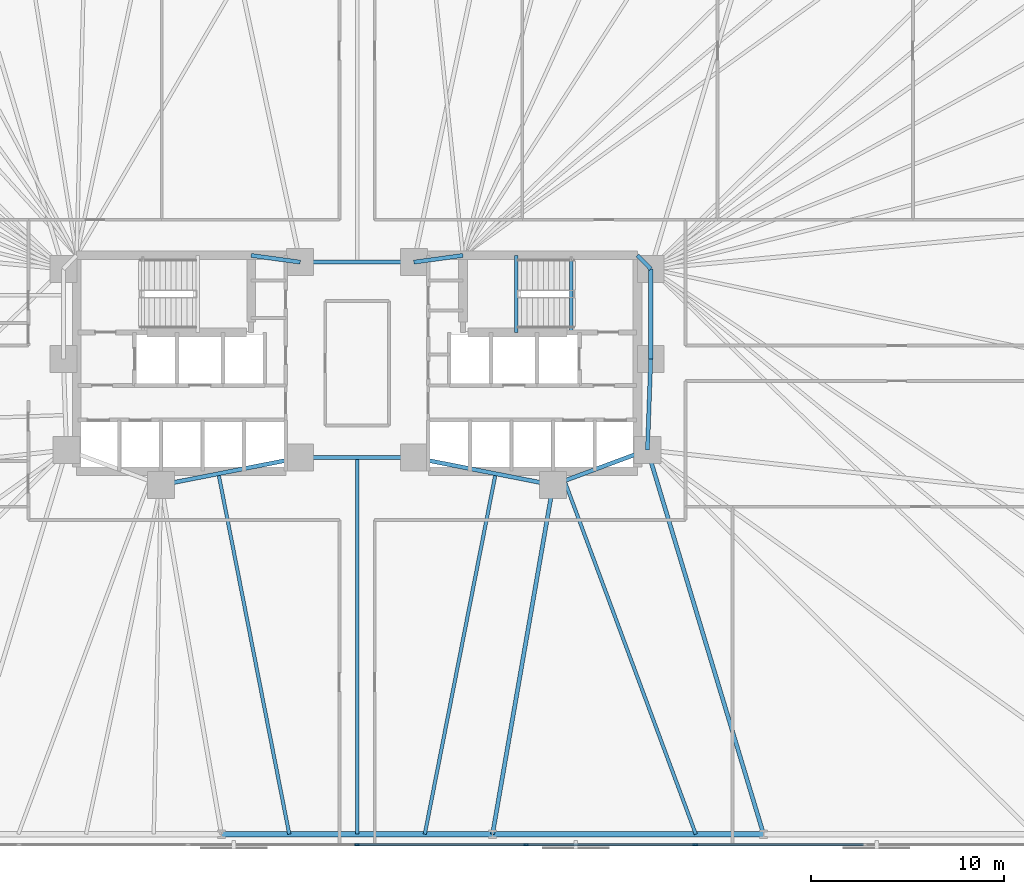
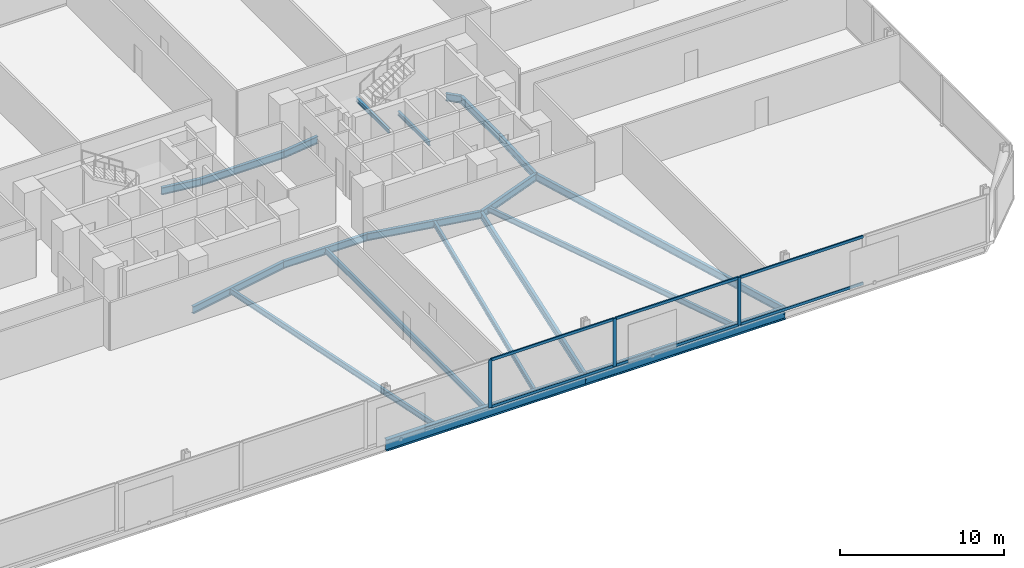
# One storey, part 7 of 16: 20 beams, 9 members, 1 element without a shape of its own.
"""IFC4 building model written with IfcOpenShell, lengths in metres."""

from ifc_helpers import new_model, si_unit, direction, frame, origin, origin_2d, place, context, subcontext, project, spatial, rectangle, i_section, extrude, material, material_profile, profile_set, type_object, element, aggregate, save


model = new_model("IFC4")

# Units and contexts
model_context = context("Model", 3, precision=1e-05, world=origin(), true_north=direction((0.0, 1.0)))
body_context = subcontext(model_context, "Body", "Model", "MODEL_VIEW")
ifc_project = project(units=[si_unit("LENGTHUNIT", "METRE"), si_unit("AREAUNIT", "SQUARE_METRE"), si_unit("VOLUMEUNIT", "CUBIC_METRE"), si_unit("PLANEANGLEUNIT", "RADIAN"), si_unit("MASSUNIT", "GRAM", prefix="KILO")], contexts=[model_context])

# Site, building, storey
site_placement = place(None, origin())
site = spatial("IfcSite", under=ifc_project, at=site_placement, CompositionType="ELEMENT")
building_placement = place(site_placement, origin())
building = spatial("IfcBuilding", under=site, at=building_placement, Name="Menara Jurai Vektor", CompositionType="ELEMENT")
storey_placement = place(building_placement, frame((0.0, 0.0, 33.199951171875)))
storey = spatial("IfcBuildingStorey", under=building, at=storey_placement, Name="L07", CompositionType="ELEMENT", Elevation=33.199951171875)

# Curtain wall, members
ifc_material_1 = material(Name="Anodised Pale Aluminium & Low-E Double Glazing", Category="aluminium")
curtain_wall_type = type_object("IfcCurtainWallType", Name="CW-BLK1", PredefinedType="NOTDEFINED", material=ifc_material_1)
curtain_wall_placement = place(storey_placement, origin())
curtain_wall = element("IfcCurtainWall", 1, at=curtain_wall_placement, inside=storey, type_object=curtain_wall_type, Name="Unitised Curtain Wall L07 F01", PredefinedType="NOTDEFINED")
ifc_material_2 = material(Name="Anodised Pale Aluminium Mullion", Category="aluminium")
ifc_material_profile_1 = material_profile(ifc_material_2, rectangle(XDim=0.094970703125, YDim=0.239990234375, at=origin_2d()), Name="ALU MUL 95x240")
ifc_profile_set_1 = profile_set([ifc_material_profile_1], Name="Anodised Pale Aluminium Mullion")
member_type_1 = type_object("IfcMemberType", Name="CW-BLK1-MUL", PredefinedType="MULLION", material=ifc_profile_set_1)
member_1_placement = place(storey_placement, frame((0.0, -25.0, 0.0), z_axis=(0.0, 0.0, 1.0), x_axis=(0.0, 1.0, 0.0)))
member_1 = element("IfcMember", 2, at=member_1_placement, type_object=member_type_1, Name="CW-01 mullion 5", PredefinedType="MULLION", context=body_context, shape_type="SweptSolid", body=[
    extrude(rectangle(XDim=0.094970703125, YDim=0.239990234375, at=origin_2d()), origin(), (0.0, 0.0, 1.0), 3.574951171875),
])
member_2_placement = place(storey_placement, frame((8.780029296875, -25.0, 0.0), z_axis=(0.0, 0.0, 1.0), x_axis=(0.0, 1.0, 0.0)))
member_2 = element("IfcMember", 3, at=member_2_placement, type_object=member_type_1, Name="CW-01 mullion 6", PredefinedType="MULLION", context=body_context, shape_type="SweptSolid", body=[
    extrude(rectangle(XDim=0.094970703125, YDim=0.239990234375, at=origin_2d()), origin(), (0.0, 0.0, 1.0), 3.574951171875),
])
member_3_placement = place(storey_placement, frame((17.56005859375, -25.0, 0.0), z_axis=(0.0, 0.0, 1.0), x_axis=(0.0, 1.0, 0.0)))
member_3 = element("IfcMember", 4, at=member_3_placement, type_object=member_type_1, Name="CW-01 mullion 7", PredefinedType="MULLION", context=body_context, shape_type="SweptSolid", body=[
    extrude(rectangle(XDim=0.094970703125, YDim=0.239990234375, at=origin_2d()), origin(), (0.0, 0.0, 1.0), 3.574951171875),
])
ifc_material_3 = material(Name="Anodised Pale Aluminium Transom", Category="aluminium")
ifc_material_profile_2 = material_profile(ifc_material_3, rectangle(XDim=0.094970703125, YDim=0.199951171875, at=origin_2d()), Name="ALU TRN 95x200")
ifc_profile_set_2 = profile_set([ifc_material_profile_2], Name="Anodised Pale Aluminium Transom")
member_type_2 = type_object("IfcMemberType", Name="CW-BLK1-TRN", PredefinedType="USERDEFINED", material=ifc_profile_set_2)
member_4_placement = place(storey_placement, frame((0.047607421875, -25.0, 0.047607421875), z_axis=(1.0, 0.0, 0.0), x_axis=(0.0, 1.0, 0.0)))
member_4 = element("IfcMember", 5, at=member_4_placement, type_object=member_type_2, Name="CW-01 transom 5.1", ObjectType="TRANSOM", PredefinedType="USERDEFINED", context=body_context, shape_type="SweptSolid", body=[
    extrude(rectangle(XDim=0.094970703125, YDim=0.199951171875, at=origin_2d()), origin(), (0.0, 0.0, 1.0), 8.684814453125),
])
member_5_placement = place(storey_placement, frame((0.047607421875, -25.0, 3.527587890625), z_axis=(1.0, 0.0, 0.0), x_axis=(0.0, 1.0, 0.0)))
member_5 = element("IfcMember", 6, at=member_5_placement, type_object=member_type_2, Name="CW-01 transom 5.2", ObjectType="TRANSOM", PredefinedType="USERDEFINED", context=body_context, shape_type="SweptSolid", body=[
    extrude(rectangle(XDim=0.094970703125, YDim=0.199951171875, at=origin_2d()), origin(), (0.0, 0.0, 1.0), 8.684814453125),
])
member_6_placement = place(storey_placement, frame((8.827392578125, -25.0, 0.047607421875), z_axis=(1.0, 0.0, 0.0), x_axis=(0.0, 1.0, 0.0)))
member_6 = element("IfcMember", 7, at=member_6_placement, type_object=member_type_2, Name="CW-01 transom 6.1", ObjectType="TRANSOM", PredefinedType="USERDEFINED", context=body_context, shape_type="SweptSolid", body=[
    extrude(rectangle(XDim=0.094970703125, YDim=0.199951171875, at=origin_2d()), origin(), (0.0, 0.0, 1.0), 8.68505859375),
])
member_7_placement = place(storey_placement, frame((8.827392578125, -25.0, 3.527587890625), z_axis=(1.0, 0.0, 0.0), x_axis=(0.0, 1.0, 0.0)))
member_7 = element("IfcMember", 8, at=member_7_placement, type_object=member_type_2, Name="CW-01 transom 6.2", ObjectType="TRANSOM", PredefinedType="USERDEFINED", context=body_context, shape_type="SweptSolid", body=[
    extrude(rectangle(XDim=0.094970703125, YDim=0.199951171875, at=origin_2d()), origin(), (0.0, 0.0, 1.0), 8.68505859375),
])
member_8_placement = place(storey_placement, frame((17.607421875, -25.0, 0.047607421875), z_axis=(1.0, 0.0, 0.0), x_axis=(0.0, 1.0, 0.0)))
member_8 = element("IfcMember", 9, at=member_8_placement, type_object=member_type_2, Name="CW-01 transom 7.1", ObjectType="TRANSOM", PredefinedType="USERDEFINED", context=body_context, shape_type="SweptSolid", body=[
    extrude(rectangle(XDim=0.094970703125, YDim=0.199951171875, at=origin_2d()), origin(), (0.0, 0.0, 1.0), 8.68505859375),
])
member_9_placement = place(storey_placement, frame((17.607421875, -25.0, 3.527587890625), z_axis=(1.0, 0.0, 0.0), x_axis=(0.0, 1.0, 0.0)))
member_9 = element("IfcMember", 10, at=member_9_placement, type_object=member_type_2, Name="CW-01 transom 7.2", ObjectType="TRANSOM", PredefinedType="USERDEFINED", context=body_context, shape_type="SweptSolid", body=[
    extrude(rectangle(XDim=0.094970703125, YDim=0.199951171875, at=origin_2d()), origin(), (0.0, 0.0, 1.0), 8.68505859375),
])
aggregate(curtain_wall, [member_1, member_2, member_3, member_4, member_5, member_6, member_7, member_8, member_9])

# Beams
ifc_material_4 = material(Name="Steel S355", Category="steel")
ifc_material_profile_3 = material_profile(ifc_material_4, i_section(OverallWidth=0.2109375, OverallDepth=0.5390625, WebThickness=0.011962890625, FlangeThickness=0.01904296875, FilletRadius=0.012939453125, at=origin_2d()), Name="UKB 533x210x109")
ifc_profile_set_3 = profile_set([ifc_material_profile_3], Name="Steel S355")
beam_type_1 = type_object("IfcBeamType", Name="STR-BM-533", PredefinedType="BEAM", material=ifc_profile_set_3)
beam_1_placement = place(storey_placement, frame((-5.5, 5.60009765625, -0.494384765625), z_axis=(0.990706818608, -0.136014703483, 0.0), x_axis=(0.136014703483, 0.990706818608, 0.0)))
element("IfcBeam", 11, at=beam_1_placement, inside=storey, type_object=beam_type_1, Name="Core Ring Header Girder L07-CHW-N2", PredefinedType="BEAM", context=body_context, shape_type="SweptSolid", body=[
    extrude(i_section(OverallWidth=0.2109375, OverallDepth=0.5390625, WebThickness=0.011962890625, FlangeThickness=0.01904296875, FilletRadius=0.012939453125, at=origin_2d()), origin(), (0.0, 0.0, 1.0), 2.573974609375),
])
beam_2_placement = place(storey_placement, frame((-10.179931640625, -6.320068359375, -0.494384765625), z_axis=(0.981249044334, 0.192744164614, 0.0), x_axis=(-0.192744164614, 0.981249044334, 0.0)))
element("IfcBeam", 12, at=beam_2_placement, inside=storey, type_object=beam_type_1, Name="Core Ring Header Girder L07-CHW-S2", PredefinedType="BEAM", context=body_context, shape_type="SweptSolid", body=[
    extrude(i_section(OverallWidth=0.2109375, OverallDepth=0.5390625, WebThickness=0.011962890625, FlangeThickness=0.01904296875, FilletRadius=0.012939453125, at=origin_2d()), origin(), (0.0, 0.0, 1.0), 7.3681640625),
])
beam_3_placement = place(storey_placement, frame((2.949951171875, 5.25, -0.494384765625), z_axis=(0.990706818608, 0.136014703483, 0.0), x_axis=(-0.136014703483, 0.990706818608, 0.0)))
element("IfcBeam", 13, at=beam_3_placement, inside=storey, type_object=beam_type_1, Name="Core Ring Header Girder L07-CHE-N1", PredefinedType="BEAM", context=body_context, shape_type="SweptSolid", body=[
    extrude(i_section(OverallWidth=0.2109375, OverallDepth=0.5390625, WebThickness=0.011962890625, FlangeThickness=0.01904296875, FilletRadius=0.012939453125, at=origin_2d()), origin(), (0.0, 0.0, 1.0), 2.573974609375),
])
beam_4_placement = place(storey_placement, frame((14.56005859375, 5.60009765625, -0.494384765625), z_axis=(0.701871936926, -0.712303154672, 0.0), x_axis=(0.712303154672, 0.701871936926, 0.0)))
element("IfcBeam", 14, at=beam_4_placement, inside=storey, type_object=beam_type_1, Name="Core Ring Header Girder L07-CHE-N2", PredefinedType="BEAM", context=body_context, shape_type="SweptSolid", body=[
    extrude(i_section(OverallWidth=0.2109375, OverallDepth=0.5390625, WebThickness=0.011962890625, FlangeThickness=0.01904296875, FilletRadius=0.012939453125, at=origin_2d()), origin(), (0.0, 0.0, 1.0), 0.98291015625),
])
beam_5_placement = place(storey_placement, frame((15.25, 0.219970703125, -0.494384765625), z_axis=(0.0, 1.0, 0.0), x_axis=(-1.0, 0.0, 0.0)))
element("IfcBeam", 15, at=beam_5_placement, inside=storey, type_object=beam_type_1, Name="Core Ring Header Girder L07-CHE-E1", PredefinedType="BEAM", context=body_context, shape_type="SweptSolid", body=[
    extrude(i_section(OverallWidth=0.2109375, OverallDepth=0.5390625, WebThickness=0.011962890625, FlangeThickness=0.01904296875, FilletRadius=0.012939453125, at=origin_2d()), origin(), (0.0, 0.0, 1.0), 4.679931640625),
])
beam_6_placement = place(storey_placement, frame((15.080078125, -4.5, -0.494384765625), z_axis=(0.035977314146, 0.999352606874, 0.0), x_axis=(-0.999352606874, 0.035977314146, 0.0)))
element("IfcBeam", 16, at=beam_6_placement, inside=storey, type_object=beam_type_1, Name="Core Ring Header Girder L07-CHE-E2", PredefinedType="BEAM", context=body_context, shape_type="SweptSolid", body=[
    extrude(i_section(OverallWidth=0.2109375, OverallDepth=0.5390625, WebThickness=0.011962890625, FlangeThickness=0.01904296875, FilletRadius=0.012939453125, at=origin_2d()), origin(), (0.0, 0.0, 1.0), 4.72314453125),
])
beam_7_placement = place(storey_placement, frame((10.179931640625, -6.320068359375, -0.494384765625), z_axis=(0.937424400887, 0.348188874925, 0.0), x_axis=(-0.348188874925, 0.937424400887, 0.0)))
element("IfcBeam", 17, at=beam_7_placement, inside=storey, type_object=beam_type_1, Name="Core Ring Header Girder L07-CHE-S1", PredefinedType="BEAM", context=body_context, shape_type="SweptSolid", body=[
    extrude(i_section(OverallWidth=0.2109375, OverallDepth=0.5390625, WebThickness=0.011962890625, FlangeThickness=0.01904296875, FilletRadius=0.012939453125, at=origin_2d()), origin(), (0.0, 0.0, 1.0), 5.227294921875),
])
beam_8_placement = place(storey_placement, frame((2.949951171875, -4.89990234375, -0.494384765625), z_axis=(0.981249044334, -0.192744164614, 0.0), x_axis=(0.192744164614, 0.981249044334, 0.0)))
element("IfcBeam", 18, at=beam_8_placement, inside=storey, type_object=beam_type_1, Name="Core Ring Header Girder L07-CHE-S2", PredefinedType="BEAM", context=body_context, shape_type="SweptSolid", body=[
    extrude(i_section(OverallWidth=0.2109375, OverallDepth=0.5390625, WebThickness=0.011962890625, FlangeThickness=0.01904296875, FilletRadius=0.012939453125, at=origin_2d()), origin(), (0.0, 0.0, 1.0), 7.3681640625),
])
for number, where, z_axis, x_axis, name in (
    (19, (-2.949951171875, -4.89990234375, -0.494384765625), (1.0, 0.0, 0.0), (0.0, 1.0, 0.0), "Core Ring Header Girder L07-CC-1"),
    (20, (-2.949951171875, 5.25, -0.494384765625), (1.0, 0.0, 0.0), (0.0, 1.0, 0.0), "Core Ring Header Girder L07-CC-2"),
):
    element("IfcBeam", number, at=place(storey_placement, frame(where, z_axis=z_axis, x_axis=x_axis)), inside=storey, type_object=beam_type_1, Name=name, PredefinedType="BEAM", context=body_context, shape_type="SweptSolid", body=[
        extrude(i_section(OverallWidth=0.2109375, OverallDepth=0.5390625, WebThickness=0.011962890625, FlangeThickness=0.01904296875, FilletRadius=0.012939453125, at=origin_2d()), origin(), (0.0, 0.0, 1.0), 5.89990234375),
    ])
beam_9_placement = place(storey_placement, frame((7.03564453125, -24.449951171875, -0.494384765625), z_axis=(0.170880325642, 0.985291791455, 0.0), x_axis=(-0.985291791455, 0.170880325642, 0.0)))
element("IfcBeam", 21, at=beam_9_placement, inside=storey, type_object=beam_type_1, Name="Radial Floor Girder L07-S4", PredefinedType="BEAM", context=body_context, shape_type="SweptSolid", body=[
    extrude(i_section(OverallWidth=0.2109375, OverallDepth=0.5390625, WebThickness=0.011962890625, FlangeThickness=0.01904296875, FilletRadius=0.012939453125, at=origin_2d()), origin(), (0.0, 0.0, 1.0), 18.400634765625),
])
beam_10_placement = place(storey_placement, frame((21.106689453125, -24.449951171875, -0.494384765625), z_axis=(-0.289179812203, 0.957274796604, 0.0), x_axis=(-0.957274796604, -0.289179812203, 0.0)))
element("IfcBeam", 22, at=beam_10_placement, inside=storey, type_object=beam_type_1, Name="Radial Floor Girder L07-S5", PredefinedType="BEAM", context=body_context, shape_type="SweptSolid", body=[
    extrude(i_section(OverallWidth=0.2109375, OverallDepth=0.5390625, WebThickness=0.011962890625, FlangeThickness=0.01904296875, FilletRadius=0.012939453125, at=origin_2d()), origin(), (0.0, 0.0, 1.0), 20.84033203125),
])
ifc_material_profile_4 = material_profile(ifc_material_4, i_section(OverallWidth=0.178955078125, OverallDepth=0.408935546875, WebThickness=0.009033203125, FlangeThickness=0.013916015625, FilletRadius=0.010009765625, at=origin_2d()), Name="UKB 406x178x67")
ifc_profile_set_4 = profile_set([ifc_material_profile_4], Name="Steel S355")
beam_type_2 = type_object("IfcBeamType", Name="STR-JS-406", PredefinedType="JOIST", material=ifc_profile_set_4)
beam_11_placement = place(storey_placement, frame((-3.517822265625, -24.449951171875, -0.429443359375), z_axis=(-0.192723076671, 0.981253186348, 0.0), x_axis=(-0.981253186348, -0.192723076671, 0.0)))
element("IfcBeam", 23, at=beam_11_placement, inside=storey, type_object=beam_type_2, Name="Radial Secondary Floor Joist L07-JS04", PredefinedType="JOIST", context=body_context, shape_type="SweptSolid", body=[
    extrude(i_section(OverallWidth=0.178955078125, OverallDepth=0.408935546875, WebThickness=0.009033203125, FlangeThickness=0.013916015625, FilletRadius=0.010009765625, at=origin_2d()), origin(), (0.0, 0.0, 1.0), 19.07421875),
])
beam_12_placement = place(storey_placement, frame((0.0, -24.449951171875, -0.429443359375), z_axis=(0.0, 1.0, 0.0), x_axis=(-1.0, 0.0, 0.0)))
element("IfcBeam", 24, at=beam_12_placement, inside=storey, type_object=beam_type_2, Name="Radial Secondary Floor Joist L07-JS05", PredefinedType="JOIST", context=body_context, shape_type="SweptSolid", body=[
    extrude(i_section(OverallWidth=0.178955078125, OverallDepth=0.408935546875, WebThickness=0.009033203125, FlangeThickness=0.013916015625, FilletRadius=0.010009765625, at=origin_2d()), origin(), (0.0, 0.0, 1.0), 19.550048828125),
])
beam_13_placement = place(storey_placement, frame((3.517822265625, -24.449951171875, -0.429443359375), z_axis=(0.192723076671, 0.981253186348, 0.0), x_axis=(-0.981253186348, 0.192723076671, 0.0)))
element("IfcBeam", 25, at=beam_13_placement, inside=storey, type_object=beam_type_2, Name="Radial Secondary Floor Joist L07-JS06", PredefinedType="JOIST", context=body_context, shape_type="SweptSolid", body=[
    extrude(i_section(OverallWidth=0.178955078125, OverallDepth=0.408935546875, WebThickness=0.009033203125, FlangeThickness=0.013916015625, FilletRadius=0.010009765625, at=origin_2d()), origin(), (0.0, 0.0, 1.0), 19.07421875),
])
beam_14_placement = place(storey_placement, frame((17.5888671875, -24.449951171875, -0.429443359375), z_axis=(-0.348179014223, 0.937428063403, 0.0), x_axis=(-0.937428063403, -0.348179014223, 0.0)))
element("IfcBeam", 26, at=beam_14_placement, inside=storey, type_object=beam_type_2, Name="Radial Secondary Floor Joist L07-JS07", PredefinedType="JOIST", context=body_context, shape_type="SweptSolid", body=[
    extrude(i_section(OverallWidth=0.178955078125, OverallDepth=0.408935546875, WebThickness=0.009033203125, FlangeThickness=0.013916015625, FilletRadius=0.010009765625, at=origin_2d()), origin(), (0.0, 0.0, 1.0), 19.5751953125),
])
ifc_material_profile_5 = material_profile(ifc_material_4, i_section(OverallWidth=0.1650390625, OverallDepth=0.302978515625, WebThickness=0.006103515625, FlangeThickness=0.010009765625, FilletRadius=0.009033203125, at=origin_2d()), Name="UKB 305x165x40")
ifc_profile_set_5 = profile_set([ifc_material_profile_5], Name="Steel S355")
beam_type_3 = type_object("IfcBeamType", Name="STR-LN-305", PredefinedType="LINTEL", material=ifc_profile_set_5)
beam_15_placement = place(storey_placement, frame((11.1201171875, 1.60009765625, -0.37646484375), z_axis=(0.0, 1.0, 0.0), x_axis=(-1.0, 0.0, 0.0)))
element("IfcBeam", 27, at=beam_15_placement, inside=storey, type_object=beam_type_3, Name="Stair Well Floor Trimmer ST2 L07", PredefinedType="LINTEL", context=body_context, shape_type="SweptSolid", body=[
    extrude(i_section(OverallWidth=0.1650390625, OverallDepth=0.302978515625, WebThickness=0.006103515625, FlangeThickness=0.010009765625, FilletRadius=0.009033203125, at=origin_2d()), origin(), (0.0, 0.0, 1.0), 3.81982421875),
])
beam_16_placement = place(storey_placement, frame((8.27001953125, 1.60009765625, 1.548583984375), z_axis=(0.0, 1.0, 0.0), x_axis=(-1.0, 0.0, 0.0)))
element("IfcBeam", 28, at=beam_16_placement, inside=storey, type_object=beam_type_3, Name="Stair Half-Landing Nosing Trimmer ST2-1 L07", PredefinedType="LINTEL", context=body_context, shape_type="SweptSolid", body=[
    extrude(i_section(OverallWidth=0.1650390625, OverallDepth=0.302978515625, WebThickness=0.006103515625, FlangeThickness=0.010009765625, FilletRadius=0.009033203125, at=origin_2d()), origin(), (0.0, 0.0, 1.0), 4.0),
])
ifc_material_5 = material(Name="Steel S460", Category="steel")
ifc_material_profile_6 = material_profile(ifc_material_5, i_section(OverallWidth=0.2939453125, OverallDepth=0.85107421875, WebThickness=0.01611328125, FlangeThickness=0.027099609375, FilletRadius=0.01806640625, at=origin_2d()), Name="UKB 838x292x226")
ifc_profile_set_6 = profile_set([ifc_material_profile_6], Name="Steel S460")
beam_type_4 = type_object("IfcBeamType", Name="STR-SP-838", PredefinedType="SPANDREL", material=ifc_profile_set_6)
beam_17_placement = place(storey_placement, frame((-7.03564453125, -24.449951171875, -0.650390625), z_axis=(1.0, 0.0, 0.0), x_axis=(0.0, 1.0, 0.0)))
element("IfcBeam", 29, at=beam_17_placement, inside=storey, type_object=beam_type_4, Name="Exoskeleton Spandrel Beam L07-03", PredefinedType="SPANDREL", context=body_context, shape_type="SweptSolid", body=[
    extrude(i_section(OverallWidth=0.2939453125, OverallDepth=0.85107421875, WebThickness=0.01611328125, FlangeThickness=0.027099609375, FilletRadius=0.01806640625, at=origin_2d()), origin(), (0.0, 0.0, 1.0), 14.0712890625),
])
beam_18_placement = place(storey_placement, frame((7.03564453125, -24.449951171875, -0.650390625), z_axis=(1.0, 0.0, 0.0), x_axis=(0.0, 1.0, 0.0)))
element("IfcBeam", 30, at=beam_18_placement, inside=storey, type_object=beam_type_4, Name="Exoskeleton Spandrel Beam L07-04", PredefinedType="SPANDREL", context=body_context, shape_type="SweptSolid", body=[
    extrude(i_section(OverallWidth=0.2939453125, OverallDepth=0.85107421875, WebThickness=0.01611328125, FlangeThickness=0.027099609375, FilletRadius=0.01806640625, at=origin_2d()), origin(), (0.0, 0.0, 1.0), 14.071044921875),
])

save(model, "model.ifc")
